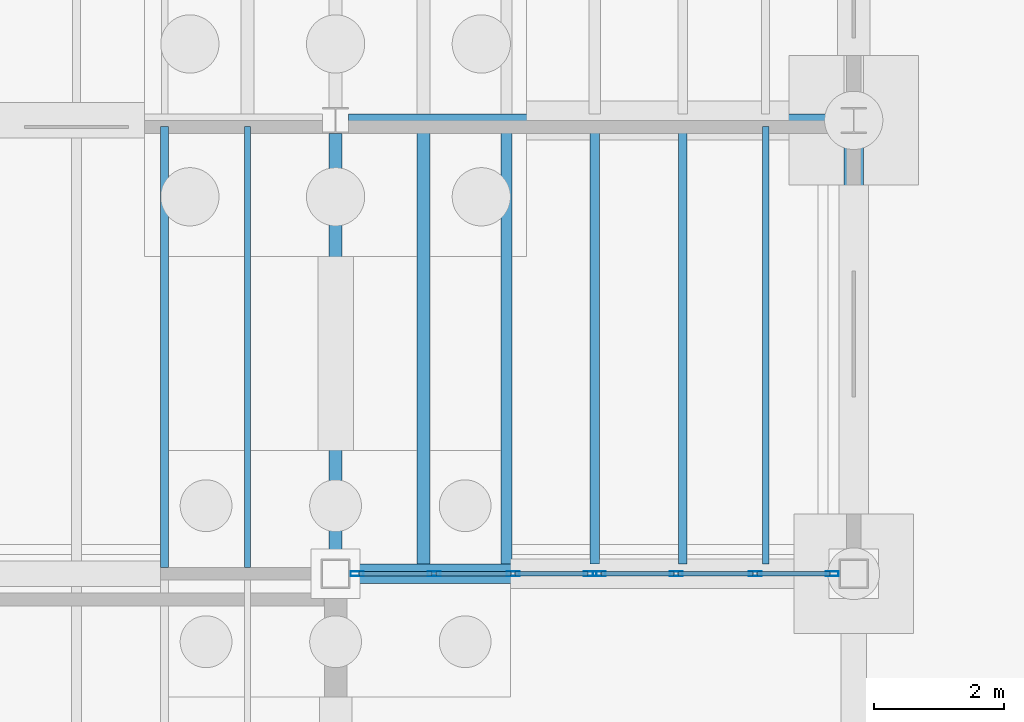
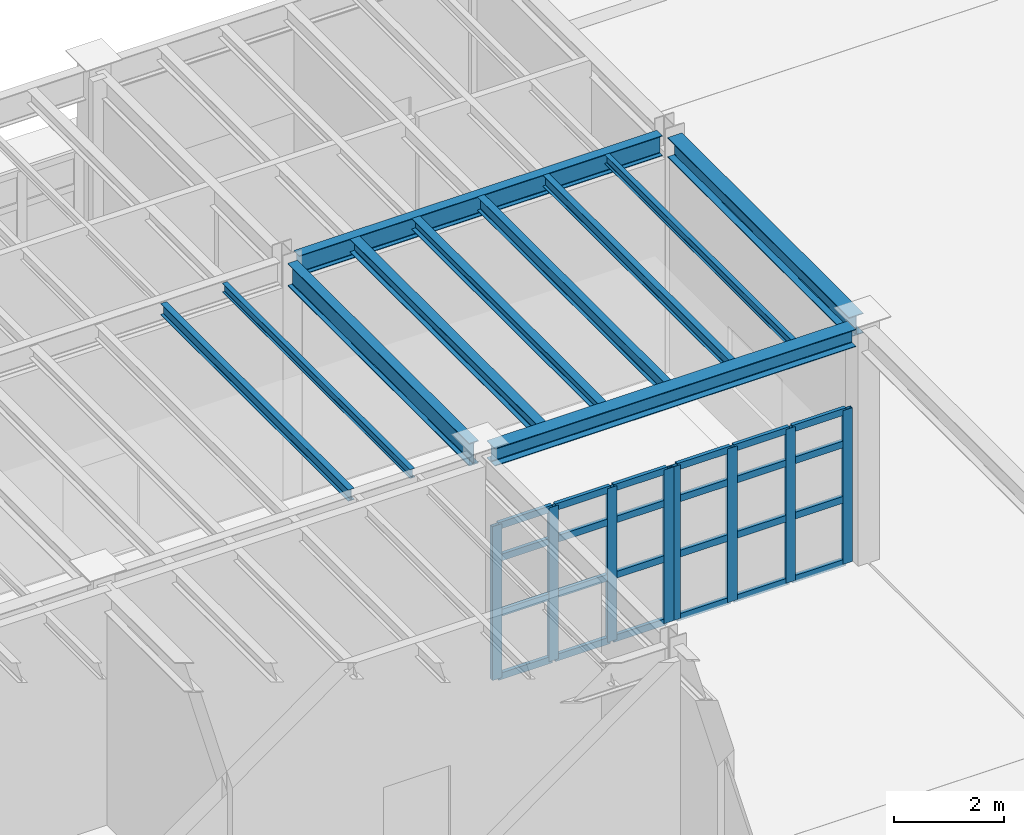
# One storey, part 30 of 86: 32 members, 11 beams, 2 elements without a shape of their own.
"""IFC4 building model written with IfcOpenShell, lengths in metres."""

from ifc_helpers import new_model, si_unit, direction, frame, origin, origin_2d, place, context, subcontext, project, spatial, hollow_rectangle, i_section, extrude, material, material_profile, profile_set, type_object, element, aggregate, save


model = new_model("IFC4")

# Units and contexts
model_context = context("Model", 3, precision=1e-05, world=origin(), true_north=direction((0.0, 1.0)))
body_context = subcontext(model_context, "Body", "Model", "MODEL_VIEW")
ifc_project = project(units=[si_unit("LENGTHUNIT", "METRE"), si_unit("AREAUNIT", "SQUARE_METRE"), si_unit("VOLUMEUNIT", "CUBIC_METRE"), si_unit("PLANEANGLEUNIT", "RADIAN"), si_unit("MASSUNIT", "GRAM", prefix="KILO"), si_unit("THERMODYNAMICTEMPERATUREUNIT", "KELVIN"), si_unit("POWERUNIT", "WATT")], contexts=[model_context])

# Site, building, storey
site_placement = place(None, origin())
site = spatial("IfcSite", under=ifc_project, at=site_placement, CompositionType="ELEMENT")
building_placement = place(site_placement, origin())
building = spatial("IfcBuilding", under=site, at=building_placement, Name="Zhenchuan Central Fire Station", CompositionType="ELEMENT")
storey_placement = place(building_placement, frame((0.0, 0.0, 0.449951171875)))
storey = spatial("IfcBuildingStorey", under=building, at=storey_placement, Name="L01", CompositionType="ELEMENT", Elevation=0.449951171875)

# Beams
ifc_material_1 = material(Name="Steel Q355B", Category="steel")
ifc_material_profile_1 = material_profile(ifc_material_1, i_section(OverallWidth=0.300048828125, OverallDepth=0.389892578125, WebThickness=0.010009765625, FlangeThickness=0.01611328125, FilletRadius=0.02001953125, at=origin_2d()), Name="HM 390x300")
ifc_profile_set_1 = profile_set([ifc_material_profile_1], Name="Steel Q355B")
beam_type_1 = type_object("IfcBeamType", Name="BM-HM390-INT", PredefinedType="BEAM", material=ifc_profile_set_1)
beam_1_placement = place(storey_placement, frame((48.22509765625, 42.5, 5.005126953125), z_axis=(1.0, 0.0, 0.0), x_axis=(0.0, 1.0, 0.0)))
element("IfcBeam", 1, at=beam_1_placement, inside=storey, type_object=beam_type_1, Name="L02 Girder EW 0078", PredefinedType="BEAM", context=body_context, shape_type="SweptSolid", body=[
    extrude(i_section(OverallWidth=0.300048828125, OverallDepth=0.389892578125, WebThickness=0.010009765625, FlangeThickness=0.01611328125, FilletRadius=0.02001953125, at=origin_2d()), origin(), (0.0, 0.0, 1.0), 7.5498046875),
])
ifc_material_profile_2 = material_profile(ifc_material_1, i_section(OverallWidth=0.300048828125, OverallDepth=0.43994140625, WebThickness=0.010986328125, FlangeThickness=0.01806640625, FilletRadius=0.02197265625, at=origin_2d()), Name="HM 440x300")
ifc_profile_set_2 = profile_set([ifc_material_profile_2], Name="Steel Q355B")
beam_type_2 = type_object("IfcBeamType", Name="BM-HM440-INT", PredefinedType="BEAM", material=ifc_profile_set_2)
beam_2_placement = place(storey_placement, frame((56.0, 42.72509765625, 4.97998046875), z_axis=(0.0, 1.0, 0.0), x_axis=(-1.0, 0.0, 0.0)))
element("IfcBeam", 2, at=beam_2_placement, inside=storey, type_object=beam_type_2, Name="L02 Girder NS 0150", PredefinedType="BEAM", context=body_context, shape_type="SweptSolid", body=[
    extrude(i_section(OverallWidth=0.300048828125, OverallDepth=0.43994140625, WebThickness=0.010986328125, FlangeThickness=0.01806640625, FilletRadius=0.02197265625, at=origin_2d()), origin(), (0.0, 0.0, 1.0), 6.574951171875),
])
ifc_material_profile_3 = material_profile(ifc_material_1, i_section(OverallWidth=0.199951171875, OverallDepth=0.449951171875, WebThickness=0.009033203125, FlangeThickness=0.013916015625, FilletRadius=0.01806640625, at=origin_2d()), Name="HN 450x200")
ifc_profile_set_3 = profile_set([ifc_material_profile_3], Name="Steel Q355B")
beam_type_3 = type_object("IfcBeamType", Name="BM-HN450", PredefinedType="BEAM", material=ifc_profile_set_3)
beam_3_placement = place(storey_placement, frame((48.199951171875, 49.5, 4.97509765625), z_axis=(1.0, 0.0, 0.0), x_axis=(0.0, 1.0, 0.0)))
element("IfcBeam", 3, at=beam_3_placement, inside=storey, type_object=beam_type_3, Name="L02 Girder EW 0089", PredefinedType="BEAM", context=body_context, shape_type="SweptSolid", body=[
    extrude(i_section(OverallWidth=0.199951171875, OverallDepth=0.449951171875, WebThickness=0.009033203125, FlangeThickness=0.013916015625, FilletRadius=0.01806640625, at=origin_2d()), origin(), (0.0, 0.0, 1.0), 7.60009765625),
])
ifc_material_profile_4 = material_profile(ifc_material_1, i_section(OverallWidth=0.199951171875, OverallDepth=0.5, WebThickness=0.010009765625, FlangeThickness=0.01611328125, FilletRadius=0.02001953125, at=origin_2d()), Name="HN 500x200")
ifc_profile_set_4 = profile_set([ifc_material_profile_4], Name="Steel Q355B")
beam_type_4 = type_object("IfcBeamType", Name="BM-HN500-INT", PredefinedType="BEAM", material=ifc_profile_set_4)
beam_4_placement = place(storey_placement, frame((48.0, 42.72509765625, 4.949951171875), z_axis=(0.0, 1.0, 0.0), x_axis=(-1.0, 0.0, 0.0)))
element("IfcBeam", 4, at=beam_4_placement, inside=storey, type_object=beam_type_4, Name="L02 Girder NS 0147", PredefinedType="BEAM", context=body_context, shape_type="SweptSolid", body=[
    extrude(i_section(OverallWidth=0.199951171875, OverallDepth=0.5, WebThickness=0.010009765625, FlangeThickness=0.01611328125, FilletRadius=0.02001953125, at=origin_2d()), origin(), (0.0, 0.0, 1.0), 6.574951171875),
])

# Curtain wall, members
ifc_material_2 = material(Name="Anodised aluminium and low-E glazing", Category="aluminium")
curtain_wall_type_1 = type_object("IfcCurtainWallType", Name="CW-MOD-05", PredefinedType="USERDEFINED", material=ifc_material_2)
curtain_wall_1_placement = place(storey_placement, origin())
curtain_wall_1 = element("IfcCurtainWall", 5, at=curtain_wall_1_placement, inside=storey, type_object=curtain_wall_type_1, Name="L01 Unitised Curtain Wall 056", ObjectType="UNITISED GLAZING", PredefinedType="USERDEFINED")
ifc_material_3 = material(Name="Anodised aluminium EN AW-6063", Category="aluminium")
ifc_material_profile_5 = material_profile(ifc_material_3, hollow_rectangle(XDim=0.074951171875, YDim=0.199951171875, WallThickness=0.0048828125, at=origin_2d()), Name="ALU-M 200x75")
ifc_profile_set_5 = profile_set([ifc_material_profile_5], Name="Anodised aluminium EN AW-6063")
member_type_1 = type_object("IfcMemberType", Name="CW-MUL160", PredefinedType="MULLION", material=ifc_profile_set_5)
member_1_placement = place(storey_placement, frame((48.33251953125, 42.5, -0.00390625), z_axis=(0.0, 0.0, 1.0), x_axis=(0.0, 1.0, 0.0)))
member_1 = element("IfcMember", 6, at=member_1_placement, type_object=member_type_1, Name="CW-05 mullion 1", PredefinedType="MULLION", context=body_context, shape_type="SweptSolid", body=[
    extrude(hollow_rectangle(XDim=0.074951171875, YDim=0.199951171875, WallThickness=0.0048828125, at=origin_2d()), origin(), (0.0, 0.0, 1.0), 3.404052734375),
])
member_2_placement = place(storey_placement, frame((49.520751953125, 42.5, -0.00390625), z_axis=(0.0, 0.0, 1.0), x_axis=(0.0, 1.0, 0.0)))
member_2 = element("IfcMember", 7, at=member_2_placement, type_object=member_type_1, Name="CW-05 mullion 2", PredefinedType="MULLION", context=body_context, shape_type="SweptSolid", body=[
    extrude(hollow_rectangle(XDim=0.074951171875, YDim=0.199951171875, WallThickness=0.0048828125, at=origin_2d()), origin(), (0.0, 0.0, 1.0), 3.404052734375),
])
member_3_placement = place(storey_placement, frame((50.741455078125, 42.5, -0.00390625), z_axis=(0.0, 0.0, 1.0), x_axis=(0.0, 1.0, 0.0)))
member_3 = element("IfcMember", 8, at=member_3_placement, type_object=member_type_1, Name="CW-05 mullion 3", PredefinedType="MULLION", context=body_context, shape_type="SweptSolid", body=[
    extrude(hollow_rectangle(XDim=0.074951171875, YDim=0.199951171875, WallThickness=0.0048828125, at=origin_2d()), origin(), (0.0, 0.0, 1.0), 3.404052734375),
])
member_4_placement = place(storey_placement, frame((51.929443359375, 42.5, -0.00390625), z_axis=(0.0, 0.0, 1.0), x_axis=(0.0, 1.0, 0.0)))
member_4 = element("IfcMember", 9, at=member_4_placement, type_object=member_type_1, Name="CW-05 mullion 4", PredefinedType="MULLION", context=body_context, shape_type="SweptSolid", body=[
    extrude(hollow_rectangle(XDim=0.074951171875, YDim=0.199951171875, WallThickness=0.0048828125, at=origin_2d()), origin(), (0.0, 0.0, 1.0), 3.404052734375),
])

curtain_wall_type_2 = type_object("IfcCurtainWallType", Name="CW-MOD-06", PredefinedType="USERDEFINED", material=ifc_material_2)
curtain_wall_2_placement = place(storey_placement, origin())
curtain_wall_2 = element("IfcCurtainWall", 10, at=curtain_wall_2_placement, inside=storey, type_object=curtain_wall_type_2, Name="L01 Unitised Curtain Wall 057", ObjectType="UNITISED GLAZING", PredefinedType="USERDEFINED")
member_5_placement = place(storey_placement, frame((52.070556640625, 42.5, -0.00390625), z_axis=(0.0, 0.0, 1.0), x_axis=(0.0, 1.0, 0.0)))
member_5 = element("IfcMember", 11, at=member_5_placement, type_object=member_type_1, Name="CW-06 mullion 1", PredefinedType="MULLION", context=body_context, shape_type="SweptSolid", body=[
    extrude(hollow_rectangle(XDim=0.074951171875, YDim=0.199951171875, WallThickness=0.0048828125, at=origin_2d()), origin(), (0.0, 0.0, 1.0), 3.404052734375),
])
member_6_placement = place(storey_placement, frame((53.258544921875, 42.5, -0.00390625), z_axis=(0.0, 0.0, 1.0), x_axis=(0.0, 1.0, 0.0)))
member_6 = element("IfcMember", 12, at=member_6_placement, type_object=member_type_1, Name="CW-06 mullion 2", PredefinedType="MULLION", context=body_context, shape_type="SweptSolid", body=[
    extrude(hollow_rectangle(XDim=0.074951171875, YDim=0.199951171875, WallThickness=0.0048828125, at=origin_2d()), origin(), (0.0, 0.0, 1.0), 3.404052734375),
])
member_7_placement = place(storey_placement, frame((54.479248046875, 42.5, -0.00390625), z_axis=(0.0, 0.0, 1.0), x_axis=(0.0, 1.0, 0.0)))
member_7 = element("IfcMember", 13, at=member_7_placement, type_object=member_type_1, Name="CW-06 mullion 3", PredefinedType="MULLION", context=body_context, shape_type="SweptSolid", body=[
    extrude(hollow_rectangle(XDim=0.074951171875, YDim=0.199951171875, WallThickness=0.0048828125, at=origin_2d()), origin(), (0.0, 0.0, 1.0), 3.404052734375),
])
member_8_placement = place(storey_placement, frame((55.66748046875, 42.5, -0.00390625), z_axis=(0.0, 0.0, 1.0), x_axis=(0.0, 1.0, 0.0)))
member_8 = element("IfcMember", 14, at=member_8_placement, type_object=member_type_1, Name="CW-06 mullion 4", PredefinedType="MULLION", context=body_context, shape_type="SweptSolid", body=[
    extrude(hollow_rectangle(XDim=0.074951171875, YDim=0.199951171875, WallThickness=0.0048828125, at=origin_2d()), origin(), (0.0, 0.0, 1.0), 3.404052734375),
])

# Member
ifc_material_profile_6 = material_profile(ifc_material_3, hollow_rectangle(XDim=0.074951171875, YDim=0.14990234375, WallThickness=0.0048828125, at=origin_2d()), Name="ALU-T 150x75")
ifc_profile_set_6 = profile_set([ifc_material_profile_6], Name="Anodised aluminium EN AW-6063")
member_type_2 = type_object("IfcMemberType", Name="CW-TRN130", PredefinedType="NOTDEFINED", material=ifc_profile_set_6)
member_9_placement = place(storey_placement, frame((48.364990234375, 42.5, 0.028564453125), z_axis=(1.0, 0.0, 0.0), x_axis=(0.0, 1.0, 0.0)))
member_9 = element("IfcMember", 15, at=member_9_placement, type_object=member_type_2, Name="CW-05 transom 1.1", ObjectType="TRANSOM", PredefinedType="USERDEFINED", context=body_context, shape_type="SweptSolid", body=[
    extrude(hollow_rectangle(XDim=0.074951171875, YDim=0.14990234375, WallThickness=0.0048828125, at=origin_2d()), origin(), (0.0, 0.0, 1.0), 1.123291015625),
])

member_10_placement = place(storey_placement, frame((48.364990234375, 42.5, 1.427978515625), z_axis=(1.0, 0.0, 0.0), x_axis=(0.0, 1.0, 0.0)))
member_10 = element("IfcMember", 16, at=member_10_placement, type_object=member_type_2, Name="CW-05 transom 1.2", ObjectType="TRANSOM", PredefinedType="USERDEFINED", context=body_context, shape_type="SweptSolid", body=[
    extrude(hollow_rectangle(XDim=0.074951171875, YDim=0.14990234375, WallThickness=0.0048828125, at=origin_2d()), origin(), (0.0, 0.0, 1.0), 1.123291015625),
])

member_11_placement = place(storey_placement, frame((48.364990234375, 42.5, 2.652099609375), z_axis=(1.0, 0.0, 0.0), x_axis=(0.0, 1.0, 0.0)))
member_11 = element("IfcMember", 17, at=member_11_placement, type_object=member_type_2, Name="CW-05 transom 1.3", ObjectType="TRANSOM", PredefinedType="USERDEFINED", context=body_context, shape_type="SweptSolid", body=[
    extrude(hollow_rectangle(XDim=0.074951171875, YDim=0.14990234375, WallThickness=0.0048828125, at=origin_2d()), origin(), (0.0, 0.0, 1.0), 1.123291015625),
])

member_12_placement = place(storey_placement, frame((48.364990234375, 42.5, 3.367431640625), z_axis=(1.0, 0.0, 0.0), x_axis=(0.0, 1.0, 0.0)))
member_12 = element("IfcMember", 18, at=member_12_placement, type_object=member_type_2, Name="CW-05 transom 1.4", ObjectType="TRANSOM", PredefinedType="USERDEFINED", context=body_context, shape_type="SweptSolid", body=[
    extrude(hollow_rectangle(XDim=0.074951171875, YDim=0.14990234375, WallThickness=0.0048828125, at=origin_2d()), origin(), (0.0, 0.0, 1.0), 1.123291015625),
])

member_13_placement = place(storey_placement, frame((49.55322265625, 42.5, 0.028564453125), z_axis=(1.0, 0.0, 0.0), x_axis=(0.0, 1.0, 0.0)))
member_13 = element("IfcMember", 19, at=member_13_placement, type_object=member_type_2, Name="CW-05 transom 2.1", ObjectType="TRANSOM", PredefinedType="USERDEFINED", context=body_context, shape_type="SweptSolid", body=[
    extrude(hollow_rectangle(XDim=0.074951171875, YDim=0.14990234375, WallThickness=0.0048828125, at=origin_2d()), origin(), (0.0, 0.0, 1.0), 1.155517578125),
])

member_14_placement = place(storey_placement, frame((49.55322265625, 42.5, 1.427978515625), z_axis=(1.0, 0.0, 0.0), x_axis=(0.0, 1.0, 0.0)))
member_14 = element("IfcMember", 20, at=member_14_placement, type_object=member_type_2, Name="CW-05 transom 2.2", ObjectType="TRANSOM", PredefinedType="USERDEFINED", context=body_context, shape_type="SweptSolid", body=[
    extrude(hollow_rectangle(XDim=0.074951171875, YDim=0.14990234375, WallThickness=0.0048828125, at=origin_2d()), origin(), (0.0, 0.0, 1.0), 1.155517578125),
])

member_15_placement = place(storey_placement, frame((49.55322265625, 42.5, 2.652099609375), z_axis=(1.0, 0.0, 0.0), x_axis=(0.0, 1.0, 0.0)))
member_15 = element("IfcMember", 21, at=member_15_placement, type_object=member_type_2, Name="CW-05 transom 2.3", ObjectType="TRANSOM", PredefinedType="USERDEFINED", context=body_context, shape_type="SweptSolid", body=[
    extrude(hollow_rectangle(XDim=0.074951171875, YDim=0.14990234375, WallThickness=0.0048828125, at=origin_2d()), origin(), (0.0, 0.0, 1.0), 1.155517578125),
])

member_16_placement = place(storey_placement, frame((49.55322265625, 42.5, 3.367431640625), z_axis=(1.0, 0.0, 0.0), x_axis=(0.0, 1.0, 0.0)))
member_16 = element("IfcMember", 22, at=member_16_placement, type_object=member_type_2, Name="CW-05 transom 2.4", ObjectType="TRANSOM", PredefinedType="USERDEFINED", context=body_context, shape_type="SweptSolid", body=[
    extrude(hollow_rectangle(XDim=0.074951171875, YDim=0.14990234375, WallThickness=0.0048828125, at=origin_2d()), origin(), (0.0, 0.0, 1.0), 1.155517578125),
])

member_17_placement = place(storey_placement, frame((50.77392578125, 42.5, 0.028564453125), z_axis=(1.0, 0.0, 0.0), x_axis=(0.0, 1.0, 0.0)))
member_17 = element("IfcMember", 23, at=member_17_placement, type_object=member_type_2, Name="CW-05 transom 3.1", ObjectType="TRANSOM", PredefinedType="USERDEFINED", context=body_context, shape_type="SweptSolid", body=[
    extrude(hollow_rectangle(XDim=0.074951171875, YDim=0.14990234375, WallThickness=0.0048828125, at=origin_2d()), origin(), (0.0, 0.0, 1.0), 1.123046875),
])

member_18_placement = place(storey_placement, frame((50.77392578125, 42.5, 1.427978515625), z_axis=(1.0, 0.0, 0.0), x_axis=(0.0, 1.0, 0.0)))
member_18 = element("IfcMember", 24, at=member_18_placement, type_object=member_type_2, Name="CW-05 transom 3.2", ObjectType="TRANSOM", PredefinedType="USERDEFINED", context=body_context, shape_type="SweptSolid", body=[
    extrude(hollow_rectangle(XDim=0.074951171875, YDim=0.14990234375, WallThickness=0.0048828125, at=origin_2d()), origin(), (0.0, 0.0, 1.0), 1.123046875),
])

member_19_placement = place(storey_placement, frame((50.77392578125, 42.5, 2.652099609375), z_axis=(1.0, 0.0, 0.0), x_axis=(0.0, 1.0, 0.0)))
member_19 = element("IfcMember", 25, at=member_19_placement, type_object=member_type_2, Name="CW-05 transom 3.3", ObjectType="TRANSOM", PredefinedType="USERDEFINED", context=body_context, shape_type="SweptSolid", body=[
    extrude(hollow_rectangle(XDim=0.074951171875, YDim=0.14990234375, WallThickness=0.0048828125, at=origin_2d()), origin(), (0.0, 0.0, 1.0), 1.123046875),
])

member_20_placement = place(storey_placement, frame((50.77392578125, 42.5, 3.367431640625), z_axis=(1.0, 0.0, 0.0), x_axis=(0.0, 1.0, 0.0)))
member_20 = element("IfcMember", 26, at=member_20_placement, type_object=member_type_2, Name="CW-05 transom 3.4", ObjectType="TRANSOM", PredefinedType="USERDEFINED", context=body_context, shape_type="SweptSolid", body=[
    extrude(hollow_rectangle(XDim=0.074951171875, YDim=0.14990234375, WallThickness=0.0048828125, at=origin_2d()), origin(), (0.0, 0.0, 1.0), 1.123046875),
])

aggregate(curtain_wall_1, [member_1, member_2, member_3, member_4, member_9, member_10, member_11, member_12, member_13, member_14, member_15, member_16, member_17, member_18, member_19, member_20])

member_21_placement = place(storey_placement, frame((52.10302734375, 42.5, 0.028564453125), z_axis=(1.0, 0.0, 0.0), x_axis=(0.0, 1.0, 0.0)))
member_21 = element("IfcMember", 27, at=member_21_placement, type_object=member_type_2, Name="CW-06 transom 1.1", ObjectType="TRANSOM", PredefinedType="USERDEFINED", context=body_context, shape_type="SweptSolid", body=[
    extrude(hollow_rectangle(XDim=0.074951171875, YDim=0.14990234375, WallThickness=0.0048828125, at=origin_2d()), origin(), (0.0, 0.0, 1.0), 1.123046875),
])

member_22_placement = place(storey_placement, frame((52.10302734375, 42.5, 1.427978515625), z_axis=(1.0, 0.0, 0.0), x_axis=(0.0, 1.0, 0.0)))
member_22 = element("IfcMember", 28, at=member_22_placement, type_object=member_type_2, Name="CW-06 transom 1.2", ObjectType="TRANSOM", PredefinedType="USERDEFINED", context=body_context, shape_type="SweptSolid", body=[
    extrude(hollow_rectangle(XDim=0.074951171875, YDim=0.14990234375, WallThickness=0.0048828125, at=origin_2d()), origin(), (0.0, 0.0, 1.0), 1.123046875),
])

member_23_placement = place(storey_placement, frame((52.10302734375, 42.5, 2.652099609375), z_axis=(1.0, 0.0, 0.0), x_axis=(0.0, 1.0, 0.0)))
member_23 = element("IfcMember", 29, at=member_23_placement, type_object=member_type_2, Name="CW-06 transom 1.3", ObjectType="TRANSOM", PredefinedType="USERDEFINED", context=body_context, shape_type="SweptSolid", body=[
    extrude(hollow_rectangle(XDim=0.074951171875, YDim=0.14990234375, WallThickness=0.0048828125, at=origin_2d()), origin(), (0.0, 0.0, 1.0), 1.123046875),
])

member_24_placement = place(storey_placement, frame((52.10302734375, 42.5, 3.367431640625), z_axis=(1.0, 0.0, 0.0), x_axis=(0.0, 1.0, 0.0)))
member_24 = element("IfcMember", 30, at=member_24_placement, type_object=member_type_2, Name="CW-06 transom 1.4", ObjectType="TRANSOM", PredefinedType="USERDEFINED", context=body_context, shape_type="SweptSolid", body=[
    extrude(hollow_rectangle(XDim=0.074951171875, YDim=0.14990234375, WallThickness=0.0048828125, at=origin_2d()), origin(), (0.0, 0.0, 1.0), 1.123046875),
])

member_25_placement = place(storey_placement, frame((53.291259765625, 42.5, 0.028564453125), z_axis=(1.0, 0.0, 0.0), x_axis=(0.0, 1.0, 0.0)))
member_25 = element("IfcMember", 31, at=member_25_placement, type_object=member_type_2, Name="CW-06 transom 2.1", ObjectType="TRANSOM", PredefinedType="USERDEFINED", context=body_context, shape_type="SweptSolid", body=[
    extrude(hollow_rectangle(XDim=0.074951171875, YDim=0.14990234375, WallThickness=0.0048828125, at=origin_2d()), origin(), (0.0, 0.0, 1.0), 1.155517578125),
])

member_26_placement = place(storey_placement, frame((53.291259765625, 42.5, 1.427978515625), z_axis=(1.0, 0.0, 0.0), x_axis=(0.0, 1.0, 0.0)))
member_26 = element("IfcMember", 32, at=member_26_placement, type_object=member_type_2, Name="CW-06 transom 2.2", ObjectType="TRANSOM", PredefinedType="USERDEFINED", context=body_context, shape_type="SweptSolid", body=[
    extrude(hollow_rectangle(XDim=0.074951171875, YDim=0.14990234375, WallThickness=0.0048828125, at=origin_2d()), origin(), (0.0, 0.0, 1.0), 1.155517578125),
])

member_27_placement = place(storey_placement, frame((53.291259765625, 42.5, 2.652099609375), z_axis=(1.0, 0.0, 0.0), x_axis=(0.0, 1.0, 0.0)))
member_27 = element("IfcMember", 33, at=member_27_placement, type_object=member_type_2, Name="CW-06 transom 2.3", ObjectType="TRANSOM", PredefinedType="USERDEFINED", context=body_context, shape_type="SweptSolid", body=[
    extrude(hollow_rectangle(XDim=0.074951171875, YDim=0.14990234375, WallThickness=0.0048828125, at=origin_2d()), origin(), (0.0, 0.0, 1.0), 1.155517578125),
])

member_28_placement = place(storey_placement, frame((53.291259765625, 42.5, 3.367431640625), z_axis=(1.0, 0.0, 0.0), x_axis=(0.0, 1.0, 0.0)))
member_28 = element("IfcMember", 34, at=member_28_placement, type_object=member_type_2, Name="CW-06 transom 2.4", ObjectType="TRANSOM", PredefinedType="USERDEFINED", context=body_context, shape_type="SweptSolid", body=[
    extrude(hollow_rectangle(XDim=0.074951171875, YDim=0.14990234375, WallThickness=0.0048828125, at=origin_2d()), origin(), (0.0, 0.0, 1.0), 1.155517578125),
])

member_29_placement = place(storey_placement, frame((54.51171875, 42.5, 0.028564453125), z_axis=(1.0, 0.0, 0.0), x_axis=(0.0, 1.0, 0.0)))
member_29 = element("IfcMember", 35, at=member_29_placement, type_object=member_type_2, Name="CW-06 transom 3.1", ObjectType="TRANSOM", PredefinedType="USERDEFINED", context=body_context, shape_type="SweptSolid", body=[
    extrude(hollow_rectangle(XDim=0.074951171875, YDim=0.14990234375, WallThickness=0.0048828125, at=origin_2d()), origin(), (0.0, 0.0, 1.0), 1.123291015625),
])

member_30_placement = place(storey_placement, frame((54.51171875, 42.5, 1.427978515625), z_axis=(1.0, 0.0, 0.0), x_axis=(0.0, 1.0, 0.0)))
member_30 = element("IfcMember", 36, at=member_30_placement, type_object=member_type_2, Name="CW-06 transom 3.2", ObjectType="TRANSOM", PredefinedType="USERDEFINED", context=body_context, shape_type="SweptSolid", body=[
    extrude(hollow_rectangle(XDim=0.074951171875, YDim=0.14990234375, WallThickness=0.0048828125, at=origin_2d()), origin(), (0.0, 0.0, 1.0), 1.123291015625),
])

member_31_placement = place(storey_placement, frame((54.51171875, 42.5, 2.652099609375), z_axis=(1.0, 0.0, 0.0), x_axis=(0.0, 1.0, 0.0)))
member_31 = element("IfcMember", 37, at=member_31_placement, type_object=member_type_2, Name="CW-06 transom 3.3", ObjectType="TRANSOM", PredefinedType="USERDEFINED", context=body_context, shape_type="SweptSolid", body=[
    extrude(hollow_rectangle(XDim=0.074951171875, YDim=0.14990234375, WallThickness=0.0048828125, at=origin_2d()), origin(), (0.0, 0.0, 1.0), 1.123291015625),
])

member_32_placement = place(storey_placement, frame((54.51171875, 42.5, 3.367431640625), z_axis=(1.0, 0.0, 0.0), x_axis=(0.0, 1.0, 0.0)))
member_32 = element("IfcMember", 38, at=member_32_placement, type_object=member_type_2, Name="CW-06 transom 3.4", ObjectType="TRANSOM", PredefinedType="USERDEFINED", context=body_context, shape_type="SweptSolid", body=[
    extrude(hollow_rectangle(XDim=0.074951171875, YDim=0.14990234375, WallThickness=0.0048828125, at=origin_2d()), origin(), (0.0, 0.0, 1.0), 1.123291015625),
])

aggregate(curtain_wall_2, [member_5, member_6, member_7, member_8, member_21, member_22, member_23, member_24, member_25, member_26, member_27, member_28, member_29, member_30, member_31, member_32])

# Beams
ifc_material_profile_7 = material_profile(ifc_material_1, i_section(OverallWidth=0.175048828125, OverallDepth=0.243896484375, WebThickness=0.007080078125, FlangeThickness=0.010986328125, FilletRadius=0.012939453125, at=origin_2d()), Name="HM 244x175")
ifc_profile_set_7 = profile_set([ifc_material_profile_7], Name="Steel Q355B")
beam_type_5 = type_object("IfcBeamType", Name="JS-HM244", PredefinedType="JOIST", material=ifc_profile_set_7)
beam_5_placement = place(storey_placement, frame((50.639892578125, 42.64697265625, 5.078125), z_axis=(0.0, 1.0, 0.0), x_axis=(-1.0, 0.0, 0.0)))
element("IfcBeam", 39, at=beam_5_placement, inside=storey, type_object=beam_type_5, Name="L02 Secondary Joist 0250", PredefinedType="JOIST", context=body_context, shape_type="SweptSolid", body=[
    extrude(i_section(OverallWidth=0.175048828125, OverallDepth=0.243896484375, WebThickness=0.007080078125, FlangeThickness=0.010986328125, FilletRadius=0.012939453125, at=origin_2d()), origin(), (0.0, 0.0, 1.0), 6.756103515625),
])
ifc_material_profile_8 = material_profile(ifc_material_1, i_section(OverallWidth=0.199951171875, OverallDepth=0.2939453125, WebThickness=0.008056640625, FlangeThickness=0.011962890625, FilletRadius=0.01611328125, at=origin_2d()), Name="HM 294x200")
ifc_profile_set_8 = profile_set([ifc_material_profile_8], Name="Steel Q355B")
beam_type_6 = type_object("IfcBeamType", Name="JS-HM294", PredefinedType="JOIST", material=ifc_profile_set_8)
beam_6_placement = place(storey_placement, frame((49.360107421875, 42.64697265625, 5.052978515625), z_axis=(0.0, 1.0, 0.0), x_axis=(-1.0, 0.0, 0.0)))
element("IfcBeam", 40, at=beam_6_placement, inside=storey, type_object=beam_type_6, Name="L02 Secondary Joist 0249", PredefinedType="JOIST", context=body_context, shape_type="SweptSolid", body=[
    extrude(i_section(OverallWidth=0.199951171875, OverallDepth=0.2939453125, WebThickness=0.008056640625, FlangeThickness=0.011962890625, FilletRadius=0.01611328125, at=origin_2d()), origin(), (0.0, 0.0, 1.0), 6.756103515625),
])
ifc_material_profile_9 = material_profile(ifc_material_1, i_section(OverallWidth=0.10009765625, OverallDepth=0.199951171875, WebThickness=0.005615234375, FlangeThickness=0.008056640625, FilletRadius=0.010986328125, at=origin_2d()), Name="HN 200x100")
ifc_profile_set_9 = profile_set([ifc_material_profile_9], Name="Steel Q355B")
beam_type_7 = type_object("IfcBeamType", Name="JS-HN200", PredefinedType="JOIST", material=ifc_profile_set_9)
beam_7_placement = place(storey_placement, frame((46.639892578125, 42.596923828125, 5.06005859375), z_axis=(0.0, 1.0, 0.0), x_axis=(-1.0, 0.0, 0.0)))
element("IfcBeam", 41, at=beam_7_placement, inside=storey, type_object=beam_type_7, Name="L02 Secondary Joist 0248", PredefinedType="JOIST", context=body_context, shape_type="SweptSolid", body=[
    extrude(i_section(OverallWidth=0.10009765625, OverallDepth=0.199951171875, WebThickness=0.005615234375, FlangeThickness=0.008056640625, FilletRadius=0.010986328125, at=origin_2d()), origin(), (0.0, 0.0, 1.0), 6.80615234375),
])
beam_8_placement = place(storey_placement, frame((54.639892578125, 42.64697265625, 5.10009765625), z_axis=(0.0, 1.0, 0.0), x_axis=(-1.0, 0.0, 0.0)))
element("IfcBeam", 42, at=beam_8_placement, inside=storey, type_object=beam_type_7, Name="L02 Secondary Joist 0253", PredefinedType="JOIST", context=body_context, shape_type="SweptSolid", body=[
    extrude(i_section(OverallWidth=0.10009765625, OverallDepth=0.199951171875, WebThickness=0.005615234375, FlangeThickness=0.008056640625, FilletRadius=0.010986328125, at=origin_2d()), origin(), (0.0, 0.0, 1.0), 6.756103515625),
])
ifc_material_profile_10 = material_profile(ifc_material_1, i_section(OverallWidth=0.125, OverallDepth=0.25, WebThickness=0.006103515625, FlangeThickness=0.009033203125, FilletRadius=0.011962890625, at=origin_2d()), Name="HN 250x125")
ifc_profile_set_10 = profile_set([ifc_material_profile_10], Name="Steel Q355B")
beam_type_8 = type_object("IfcBeamType", Name="JS-HN250", PredefinedType="JOIST", material=ifc_profile_set_10)
beam_9_placement = place(storey_placement, frame((45.360107421875, 42.596923828125, 5.03515625), z_axis=(0.0, 1.0, 0.0), x_axis=(-1.0, 0.0, 0.0)))
element("IfcBeam", 43, at=beam_9_placement, inside=storey, type_object=beam_type_8, Name="L02 Secondary Joist 0247", PredefinedType="JOIST", context=body_context, shape_type="SweptSolid", body=[
    extrude(i_section(OverallWidth=0.125, OverallDepth=0.25, WebThickness=0.006103515625, FlangeThickness=0.009033203125, FilletRadius=0.011962890625, at=origin_2d()), origin(), (0.0, 0.0, 1.0), 6.80615234375),
])
beam_10_placement = place(storey_placement, frame((53.360107421875, 42.64697265625, 5.074951171875), z_axis=(0.0, 1.0, 0.0), x_axis=(-1.0, 0.0, 0.0)))
element("IfcBeam", 44, at=beam_10_placement, inside=storey, type_object=beam_type_8, Name="L02 Secondary Joist 0252", PredefinedType="JOIST", context=body_context, shape_type="SweptSolid", body=[
    extrude(i_section(OverallWidth=0.125, OverallDepth=0.25, WebThickness=0.006103515625, FlangeThickness=0.009033203125, FilletRadius=0.011962890625, at=origin_2d()), origin(), (0.0, 0.0, 1.0), 6.756103515625),
])
ifc_material_profile_11 = material_profile(ifc_material_1, i_section(OverallWidth=0.14990234375, OverallDepth=0.300048828125, WebThickness=0.006591796875, FlangeThickness=0.009033203125, FilletRadius=0.012939453125, at=origin_2d()), Name="HN 300x150")
ifc_profile_set_11 = profile_set([ifc_material_profile_11], Name="Steel Q355B")
beam_type_9 = type_object("IfcBeamType", Name="JS-HN300", PredefinedType="JOIST", material=ifc_profile_set_11)
beam_11_placement = place(storey_placement, frame((52.0, 42.64697265625, 5.050048828125), z_axis=(0.0, 1.0, 0.0), x_axis=(-1.0, 0.0, 0.0)))
element("IfcBeam", 45, at=beam_11_placement, inside=storey, type_object=beam_type_9, Name="L02 Secondary Joist 0251", PredefinedType="JOIST", context=body_context, shape_type="SweptSolid", body=[
    extrude(i_section(OverallWidth=0.14990234375, OverallDepth=0.300048828125, WebThickness=0.006591796875, FlangeThickness=0.009033203125, FilletRadius=0.012939453125, at=origin_2d()), origin(), (0.0, 0.0, 1.0), 6.756103515625),
])

save(model, "model.ifc")
